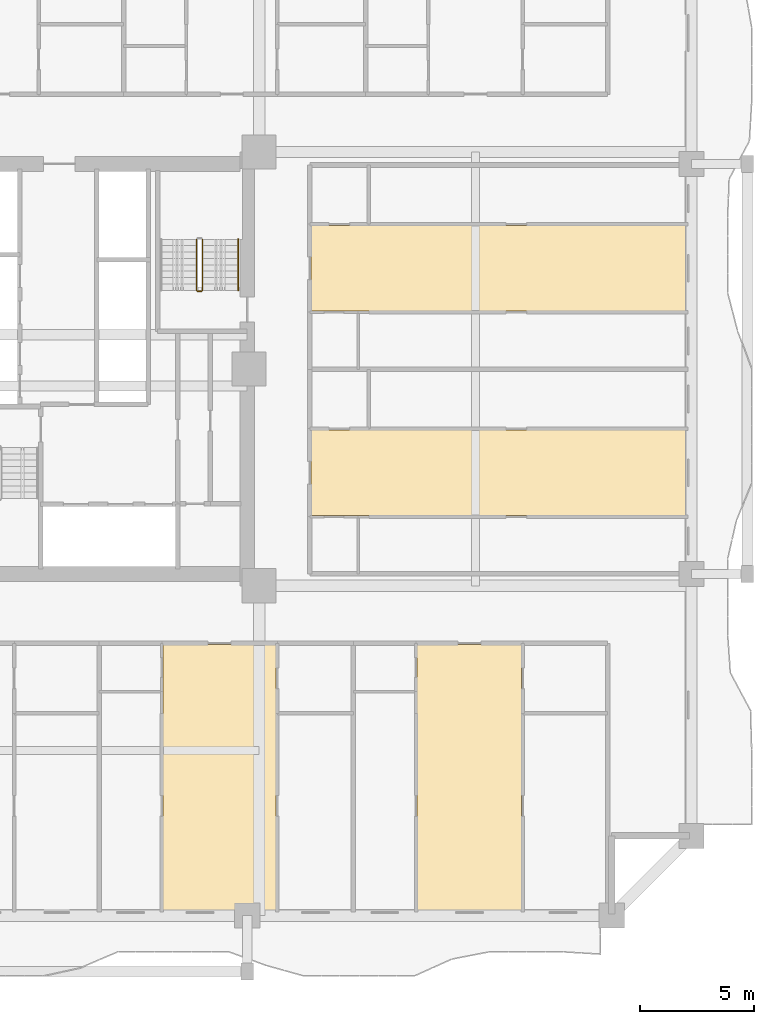
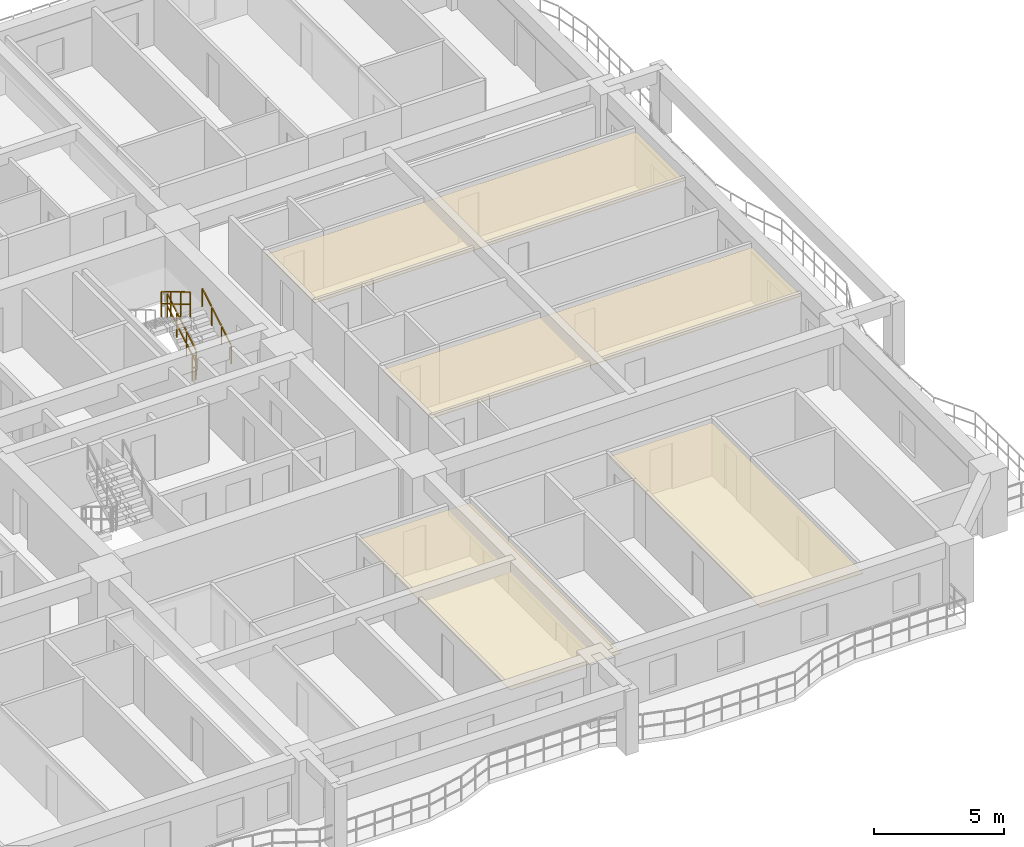
# One storey, part 13 of 15: 4 coverings, 4 railings.
"""IFC4 building model written with IfcOpenShell, lengths in metres."""

from ifc_helpers import new_model, si_unit, direction, frame, origin, origin_2d, place, context, subcontext, project, spatial, polyline, rectangle, outline, extrude, material, layer, layer_set, type_object, element, save


model = new_model("IFC4")

# Units and contexts
model_context = context("Model", 3, precision=1e-05, world=origin(), true_north=direction((0.0, 1.0)))
body_context = subcontext(model_context, "Body", "Model", "MODEL_VIEW")
ifc_project = project(units=[si_unit("LENGTHUNIT", "METRE"), si_unit("AREAUNIT", "SQUARE_METRE"), si_unit("VOLUMEUNIT", "CUBIC_METRE"), si_unit("PLANEANGLEUNIT", "RADIAN"), si_unit("MASSUNIT", "GRAM", prefix="KILO")], contexts=[model_context])

# Site, building, storey
site_placement = place(None, origin())
site = spatial("IfcSite", under=ifc_project, at=site_placement, CompositionType="ELEMENT")
building_placement = place(site_placement, origin())
building = spatial("IfcBuilding", under=site, at=building_placement, Name="Saelheon Loggia Tower", CompositionType="ELEMENT")
storey_placement = place(building_placement, frame((0.0, 0.0, 67.39990234375)))
storey = spatial("IfcBuildingStorey", under=building, at=storey_placement, Name="L21", CompositionType="ELEMENT", Elevation=67.39990234375)

# Coverings
ifc_material_1 = material(Name="Mineral-Fibre Acoustic Ceiling Board", Category="gypsum")
ifc_layer = layer(ifc_material_1, 0.02490234375)
ifc_layer_set = layer_set([ifc_layer], Name="Mineral-Fibre Acoustic Ceiling Board")
covering_type = type_object("IfcCoveringType", Name="Cov_Ceiling_Acoustic", PredefinedType="CEILING", material=ifc_layer_set)
covering_1_placement = place(storey_placement, frame((0.0, 0.0, 2.445068359375)))
element("IfcCovering", 1, at=covering_1_placement, inside=storey, type_object=covering_type, Name="L21 Acoustic Suspended Ceiling", PredefinedType="CEILING", context=body_context, shape_type="SweptSolid", body=[
    extrude(outline(polyline([(40.800048828125, 3.199951171875), (45.77001953125, 3.199951171875), (45.77001953125, 14.89990234375), (40.800048828125, 14.89990234375), (40.800048828125, 3.199951171875)])), origin(), (0.0, 0.0, 1.0), 0.025146484375),
])
covering_2_placement = place(storey_placement, frame((0.0, 0.0, 2.445068359375)))
element("IfcCovering", 2, at=covering_2_placement, inside=storey, type_object=covering_type, Name="L21 Acoustic Suspended Ceiling", PredefinedType="CEILING", context=body_context, shape_type="SweptSolid", body=[
    extrude(outline(polyline([(51.9599609375, 3.199951171875), (56.547119140625, 3.199951171875), (56.547119140625, 14.89990234375), (51.9599609375, 14.89990234375), (51.9599609375, 3.199951171875)])), origin(), (0.0, 0.0, 1.0), 0.025146484375),
])
covering_3_placement = place(storey_placement, frame((0.0, 0.0, 2.445068359375)))
element("IfcCovering", 3, at=covering_3_placement, inside=storey, type_object=covering_type, Name="L21 Acoustic Suspended Ceiling", PredefinedType="CEILING", context=body_context, shape_type="SweptSolid", body=[
    extrude(outline(polyline([(47.300048828125, 20.56298828125), (63.800048828125, 20.56298828125), (63.800048828125, 24.324951171875), (47.300048828125, 24.324951171875), (47.300048828125, 20.56298828125)])), origin(), (0.0, 0.0, 1.0), 0.025146484375),
])
covering_4_placement = place(storey_placement, frame((0.0, 0.0, 2.445068359375)))
element("IfcCovering", 4, at=covering_4_placement, inside=storey, type_object=covering_type, Name="L21 Acoustic Suspended Ceiling", PredefinedType="CEILING", context=body_context, shape_type="SweptSolid", body=[
    extrude(outline(polyline([(47.300048828125, 29.5380859375), (63.800048828125, 29.5380859375), (63.800048828125, 33.300048828125), (47.300048828125, 33.300048828125), (47.300048828125, 29.5380859375)])), origin(), (0.0, 0.0, 1.0), 0.025146484375),
])

# Railings
ifc_material_2 = material(Name="Galvanised Steel S275 Stairwell Guardrail", Category="steel")
railing_type_1 = type_object("IfcRailingType", Name="Guard_StairWell_RL_STG", PredefinedType="GUARDRAIL", material=ifc_material_2)
railing_1_placement = place(storey_placement, frame((42.5400390625, 30.449951171875, 0.166748046875)))
element("IfcRailing", 5, at=railing_1_placement, inside=storey, type_object=railing_type_1, Name="L21 ST2 stair guard 1", PredefinedType="GUARDRAIL", context=body_context, shape_type="SweptSolid", body=[
    extrude(rectangle(XDim=0.048095703125, YDim=0.048095703125, at=origin_2d()), frame((0.0, 0.028564453125, 1.19287109375), z_axis=(0.0, 0.859305625298, 0.511462454469), x_axis=(-1.0, 0.0, 0.0)), (0.0, 0.0, 1.0), 0.802490234375),
    extrude(rectangle(XDim=0.048095703125, YDim=0.048095703125, at=origin_2d()), frame((0.0, 0.028564453125, 0.616943359375), z_axis=(0.0, 0.859305625298, 0.511462454469), x_axis=(-1.0, 0.0, 0.0)), (0.0, 0.0, 1.0), 0.802490234375),
    extrude(rectangle(XDim=0.048095703125, YDim=0.048095703125, at=origin_2d()), frame((0.0, 0.775146484375, 1.63720703125), z_axis=(0.0, 0.859305625298, 0.511462454469), x_axis=(-1.0, 0.0, 0.0)), (0.0, 0.0, 1.0), 0.802490234375),
    extrude(rectangle(XDim=0.048095703125, YDim=0.048095703125, at=origin_2d()), frame((0.0, 0.775146484375, 1.061279296875), z_axis=(0.0, 0.859305625298, 0.511462454469), x_axis=(-1.0, 0.0, 0.0)), (0.0, 0.0, 1.0), 0.802490234375),
    extrude(rectangle(XDim=0.048095703125, YDim=0.048095703125, at=origin_2d()), frame((0.0, 1.52197265625, 2.081787109375), z_axis=(0.0, 0.859305625298, 0.511462454469), x_axis=(-1.0, 0.0, 0.0)), (0.0, 0.0, 1.0), 0.802490234375),
    extrude(rectangle(XDim=0.048095703125, YDim=0.048095703125, at=origin_2d()), frame((0.0, 1.52197265625, 1.505859375), z_axis=(0.0, 0.859305625298, 0.511462454469), x_axis=(-1.0, 0.0, 0.0)), (0.0, 0.0, 1.0), 0.802490234375),
    extrude(rectangle(XDim=0.0419921875, YDim=0.0419921875, at=origin_2d()), origin(), (0.0, 0.0, 1.0), 1.14794921875),
    extrude(rectangle(XDim=0.0419921875, YDim=0.0419921875, at=origin_2d()), frame((0.0, 0.74658203125, 0.4443359375)), (0.0, 0.0, 1.0), 1.14794921875),
    extrude(rectangle(XDim=0.0419921875, YDim=0.0419921875, at=origin_2d()), frame((0.0, 1.493408203125, 0.888916015625)), (0.0, 0.0, 1.0), 1.14794921875),
    extrude(rectangle(XDim=0.0419921875, YDim=0.0419921875, at=origin_2d()), frame((0.0, 2.239990234375, 1.333251953125)), (0.0, 0.0, 1.0), 1.14794921875),
])
railing_2_placement = place(storey_placement, frame((42.280029296875, 32.68994140625, 1.666748046875)))
element("IfcRailing", 6, at=railing_2_placement, inside=storey, type_object=railing_type_1, Name="L21 ST2 stair guard 3", PredefinedType="GUARDRAIL", context=body_context, shape_type="SweptSolid", body=[
    extrude(rectangle(XDim=0.048095703125, YDim=0.048095703125, at=origin_2d()), frame((0.0, -0.028564453125, 1.19287109375), z_axis=(0.0, -0.859305625298, 0.511462454469), x_axis=(1.0, 0.0, 0.0)), (0.0, 0.0, 1.0), 0.802490234375),
    extrude(rectangle(XDim=0.048095703125, YDim=0.048095703125, at=origin_2d()), frame((0.0, -0.028564453125, 0.616943359375), z_axis=(0.0, -0.859305625298, 0.511462454469), x_axis=(1.0, 0.0, 0.0)), (0.0, 0.0, 1.0), 0.802490234375),
    extrude(rectangle(XDim=0.048095703125, YDim=0.048095703125, at=origin_2d()), frame((0.0, -0.775146484375, 1.63720703125), z_axis=(0.0, -0.859305625298, 0.511462454469), x_axis=(1.0, 0.0, 0.0)), (0.0, 0.0, 1.0), 0.802490234375),
    extrude(rectangle(XDim=0.048095703125, YDim=0.048095703125, at=origin_2d()), frame((0.0, -0.775146484375, 1.061279296875), z_axis=(0.0, -0.859305625298, 0.511462454469), x_axis=(1.0, 0.0, 0.0)), (0.0, 0.0, 1.0), 0.802490234375),
    extrude(rectangle(XDim=0.048095703125, YDim=0.048095703125, at=origin_2d()), frame((0.0, -1.52197265625, 2.081787109375), z_axis=(0.0, -0.859305625298, 0.511462454469), x_axis=(1.0, 0.0, 0.0)), (0.0, 0.0, 1.0), 0.802490234375),
    extrude(rectangle(XDim=0.048095703125, YDim=0.048095703125, at=origin_2d()), frame((0.0, -1.52197265625, 1.505859375), z_axis=(0.0, -0.859305625298, 0.511462454469), x_axis=(1.0, 0.0, 0.0)), (0.0, 0.0, 1.0), 0.802490234375),
    extrude(rectangle(XDim=0.0419921875, YDim=0.0419921875, at=origin_2d()), origin(), (0.0, 0.0, 1.0), 1.14794921875),
    extrude(rectangle(XDim=0.0419921875, YDim=0.0419921875, at=origin_2d()), frame((0.0, -0.74658203125, 0.4443359375)), (0.0, 0.0, 1.0), 1.14794921875),
    extrude(rectangle(XDim=0.0419921875, YDim=0.0419921875, at=origin_2d()), frame((0.0, -1.493408203125, 0.888916015625)), (0.0, 0.0, 1.0), 1.14794921875),
    extrude(rectangle(XDim=0.0419921875, YDim=0.0419921875, at=origin_2d()), frame((0.0, -2.239990234375, 1.333251953125)), (0.0, 0.0, 1.0), 1.14794921875),
])
railing_3_placement = place(storey_placement, frame((42.489990234375, 30.39990234375, 0.0)))
element("IfcRailing", 7, at=railing_3_placement, inside=storey, type_object=railing_type_1, Name="L21 ST2 stair guard 4", PredefinedType="GUARDRAIL", context=body_context, shape_type="SweptSolid", body=[
    extrude(rectangle(XDim=0.048095703125, YDim=0.048095703125, at=origin_2d()), frame((-0.033203125, 0.0, 1.17578125), z_axis=(-1.0, 0.0, 0.0), x_axis=(0.0, -1.0, 0.0)), (0.0, 0.0, 1.0), 0.093505859375),
    extrude(rectangle(XDim=0.048095703125, YDim=0.048095703125, at=origin_2d()), frame((-0.033203125, 0.0, 0.60009765625), z_axis=(-1.0, 0.0, 0.0), x_axis=(0.0, -1.0, 0.0)), (0.0, 0.0, 1.0), 0.093505859375),
    extrude(rectangle(XDim=0.0419921875, YDim=0.0419921875, at=origin_2d()), origin(), (0.0, 0.0, 1.0), 1.14794921875),
    extrude(rectangle(XDim=0.0419921875, YDim=0.0419921875, at=origin_2d()), frame((-0.159912109375, 0.0, 0.0)), (0.0, 0.0, 1.0), 1.14794921875),
])
ifc_material_3 = material(Name="Stainless Steel 304 Tubular Handrail", Category="steel")
railing_type_2 = type_object("IfcRailingType", Name="Handrail_Stair_RL_HR1", PredefinedType="HANDRAIL", material=ifc_material_3)
railing_4_placement = place(storey_placement, frame((44.10009765625, 30.449951171875, 0.166748046875)))
element("IfcRailing", 8, at=railing_4_placement, inside=storey, type_object=railing_type_2, Name="L21 ST2 stair handrail 1", PredefinedType="HANDRAIL", context=body_context, shape_type="SweptSolid", body=[
    extrude(rectangle(XDim=0.048095703125, YDim=0.048095703125, at=origin_2d()), frame((0.0, 0.028564453125, 0.892822265625), z_axis=(0.0, 0.859305625298, 0.511462454469), x_axis=(-1.0, 0.0, 0.0)), (0.0, 0.0, 1.0), 0.802490234375),
    extrude(rectangle(XDim=0.048095703125, YDim=0.048095703125, at=origin_2d()), frame((0.0, 0.775146484375, 1.337158203125), z_axis=(0.0, 0.859305625298, 0.511462454469), x_axis=(-1.0, 0.0, 0.0)), (0.0, 0.0, 1.0), 0.802490234375),
    extrude(rectangle(XDim=0.048095703125, YDim=0.048095703125, at=origin_2d()), frame((0.0, 1.52197265625, 1.78173828125), z_axis=(0.0, 0.859305625298, 0.511462454469), x_axis=(-1.0, 0.0, 0.0)), (0.0, 0.0, 1.0), 0.802490234375),
    extrude(rectangle(XDim=0.0419921875, YDim=0.0419921875, at=origin_2d()), origin(), (0.0, 0.0, 1.0), 0.847900390625),
    extrude(rectangle(XDim=0.0419921875, YDim=0.0419921875, at=origin_2d()), frame((0.0, 0.74658203125, 0.4443359375)), (0.0, 0.0, 1.0), 0.847900390625),
    extrude(rectangle(XDim=0.0419921875, YDim=0.0419921875, at=origin_2d()), frame((0.0, 1.493408203125, 0.888916015625)), (0.0, 0.0, 1.0), 0.847900390625),
    extrude(rectangle(XDim=0.0419921875, YDim=0.0419921875, at=origin_2d()), frame((0.0, 2.239990234375, 1.333251953125)), (0.0, 0.0, 1.0), 0.847900390625),
])

save(model, "model.ifc")
